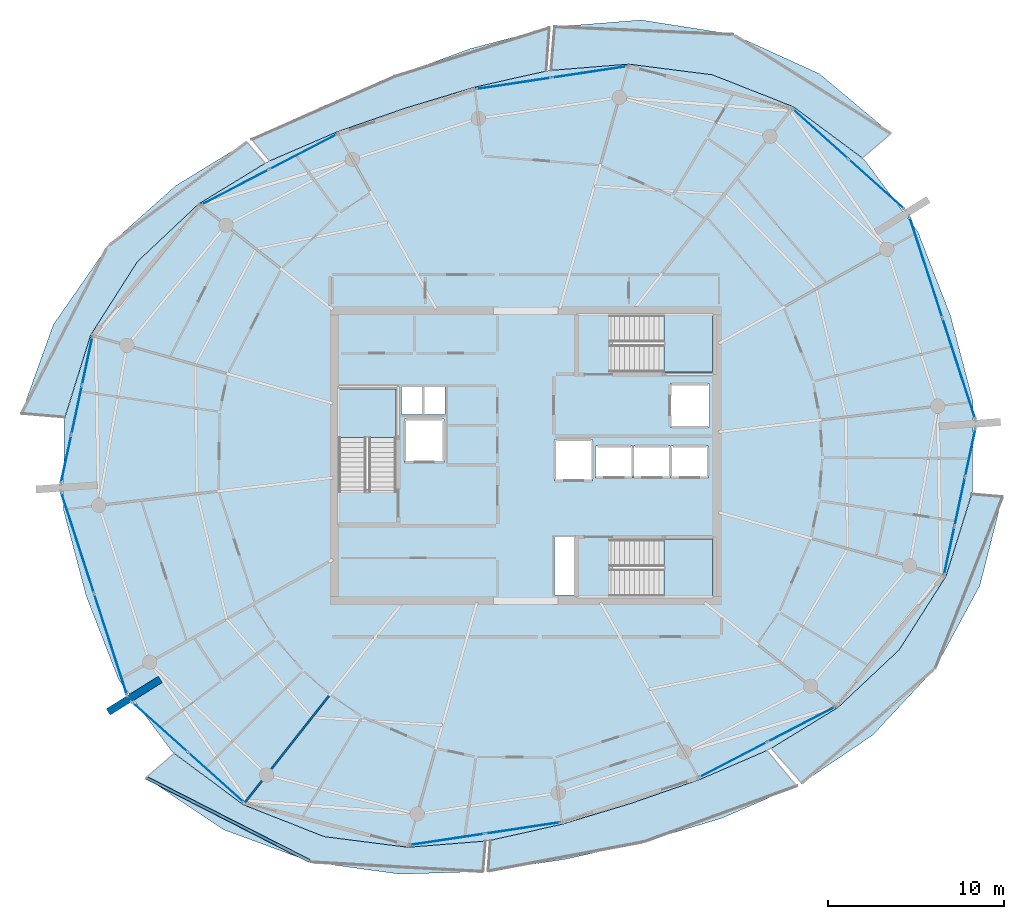
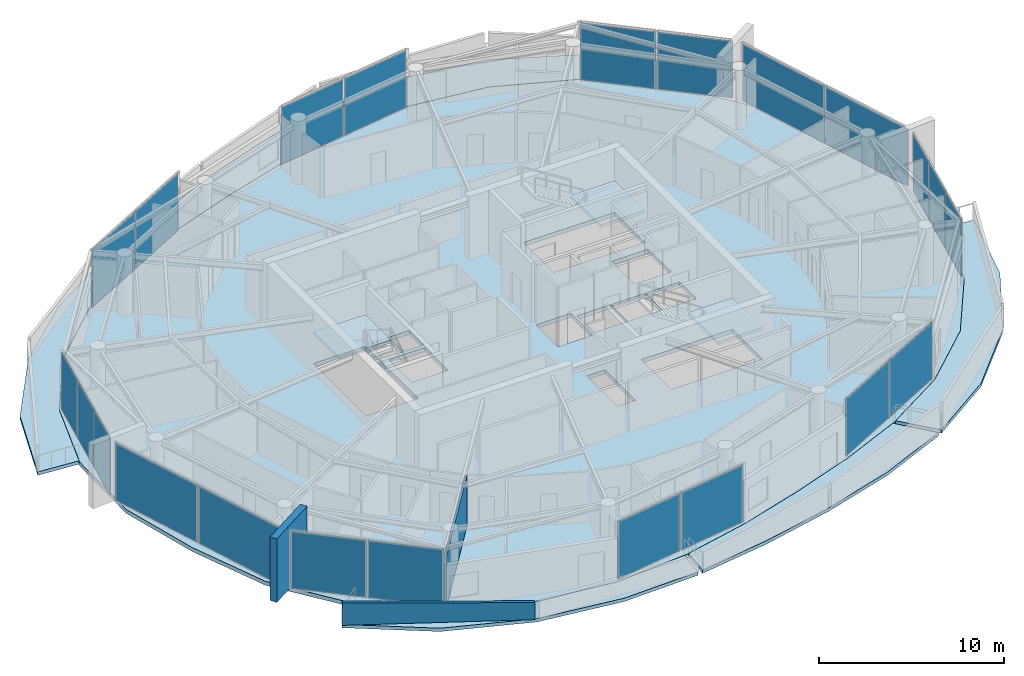
# One storey, part 9 of 20: 22 plates, 10 slabs, 3 walls, 13 elements without a shape of their own.
"""IFC4 building model written with IfcOpenShell, lengths in metres."""

from ifc_helpers import new_model, si_unit, direction, frame, frame_2d, origin, origin_2d, place, context, subcontext, project, spatial, polyline, rectangle, outline, extrude, material, layer, layer_set, type_object, element, aggregate, save


model = new_model("IFC4")

# Units and contexts
model_context = context("Model", 3, precision=1e-05, world=origin(), true_north=direction((0.0, 1.0)))
body_context = subcontext(model_context, "Body", "Model", "MODEL_VIEW")
ifc_project = project(units=[si_unit("LENGTHUNIT", "METRE"), si_unit("AREAUNIT", "SQUARE_METRE"), si_unit("VOLUMEUNIT", "CUBIC_METRE"), si_unit("PLANEANGLEUNIT", "RADIAN"), si_unit("MASSUNIT", "GRAM", prefix="KILO")], contexts=[model_context])

# Site, building, storey
site_placement = place(None, origin())
site = spatial("IfcSite", under=ifc_project, at=site_placement, CompositionType="ELEMENT")
building_placement = place(site_placement, origin())
building = spatial("IfcBuilding", under=site, at=building_placement, Name="Kazma Halo Residences", CompositionType="ELEMENT")
storey_placement = place(building_placement, frame((0.0, 0.0, 317.89990234375)))
storey = spatial("IfcBuildingStorey", under=building, at=storey_placement, Name="L80", CompositionType="ELEMENT", Elevation=317.89990234375)

# Curtain wall, plates
ifc_material_1 = material(Name="Aluminium AW-6063 T6 and Triple-Silver Low-E Glass", Category="aluminium")
ifc_layer_1 = layer(ifc_material_1, 0.239990234375)
ifc_layer_set_1 = layer_set([ifc_layer_1], Name="Aluminium AW-6063 T6 and Triple-Silver Low-E Glass")
curtain_wall_type = type_object("IfcCurtainWallType", Name="CW-SYS-6", PredefinedType="NOTDEFINED", material=ifc_layer_set_1)
curtain_wall_1_placement = place(storey_placement, origin())
curtain_wall_1 = element("IfcCurtainWall", 1, at=curtain_wall_1_placement, inside=storey, type_object=curtain_wall_type, Name="L80 unitised curtain wall B01", PredefinedType="NOTDEFINED")
ifc_material_2 = material(Name="Clear Triple-Silver Low-E Glass IGU", Category="glass")
ifc_layer_2 = layer(ifc_material_2, 0.035888671875)
ifc_layer_set_2 = layer_set([ifc_layer_2], Name="Clear Triple-Silver Low-E Glass IGU")
plate_type = type_object("IfcPlateType", Name="CW-SYS-6-PNL", PredefinedType="CURTAIN_PANEL", material=ifc_layer_set_2)
plate_1_placement = place(storey_placement, frame((68.37646484375, 57.44189453125, 0.080078125), z_axis=(0.0, 0.0, 1.0), x_axis=(-0.744378829791, 0.667757559118, 0.0)))
plate_1 = element("IfcPlate", 2, at=plate_1_placement, type_object=plate_type, Name="CWS-6 panel 1.1", PredefinedType="CURTAIN_PANEL", context=body_context, shape_type="SweptSolid", body=[
    extrude(rectangle(XDim=4.19677734375, YDim=0.035888671875, at=origin_2d()), origin(), (0.0, 0.0, 1.0), 3.780029296875),
])
plate_2_placement = place(storey_placement, frame((65.19287109375, 60.297607421875, 0.080078125), z_axis=(0.0, 0.0, 1.0), x_axis=(-0.744378829791, 0.667757559118, 0.0)))
plate_2 = element("IfcPlate", 3, at=plate_2_placement, type_object=plate_type, Name="CWS-6 panel 2.1", PredefinedType="CURTAIN_PANEL", context=body_context, shape_type="SweptSolid", body=[
    extrude(rectangle(XDim=4.19677734375, YDim=0.035888671875, at=origin_2d()), origin(), (0.0, 0.0, 1.0), 3.780029296875),
])
aggregate(curtain_wall_1, [plate_1, plate_2])

curtain_wall_2_placement = place(storey_placement, origin())
curtain_wall_2 = element("IfcCurtainWall", 4, at=curtain_wall_2_placement, inside=storey, type_object=curtain_wall_type, Name="L80 unitised curtain wall B03", PredefinedType="NOTDEFINED")
plate_3_placement = place(storey_placement, frame((52.049560546875, 63.82275390625, 0.080078125), z_axis=(0.0, 0.0, 1.0), x_axis=(-0.988856643836, -0.148870876743, 0.0)))
plate_3 = element("IfcPlate", 5, at=plate_3_placement, type_object=plate_type, Name="CWS-6 panel 1.1", PredefinedType="CURTAIN_PANEL", context=body_context, shape_type="SweptSolid", body=[
    extrude(rectangle(XDim=4.28662109375, YDim=0.035888671875, at=origin_2d()), origin(), (0.0, 0.0, 1.0), 3.780029296875),
])
plate_4_placement = place(storey_placement, frame((47.731689453125, 63.1728515625, 0.080078125), z_axis=(0.0, 0.0, 1.0), x_axis=(-0.988856643836, -0.148870876743, 0.0)))
plate_4 = element("IfcPlate", 6, at=plate_4_placement, type_object=plate_type, Name="CWS-6 panel 2.1", PredefinedType="CURTAIN_PANEL", context=body_context, shape_type="SweptSolid", body=[
    extrude(rectangle(XDim=4.28662109375, YDim=0.035888671875, at=origin_2d()), origin(), (0.0, 0.0, 1.0), 3.780029296875),
])
aggregate(curtain_wall_2, [plate_3, plate_4])

curtain_wall_3_placement = place(storey_placement, origin())
curtain_wall_3 = element("IfcCurtainWall", 7, at=curtain_wall_3_placement, inside=storey, type_object=curtain_wall_type, Name="L80 unitised curtain wall B05", PredefinedType="NOTDEFINED")
plate_5_placement = place(storey_placement, frame((35.77197265625, 59.286865234375, 0.080078125), z_axis=(0.0, 0.0, 1.0), x_axis=(-0.887506071618, -0.460796020861, 0.0)))
plate_5 = element("IfcPlate", 8, at=plate_5_placement, type_object=plate_type, Name="CWS-6 panel 1.1", PredefinedType="CURTAIN_PANEL", context=body_context, shape_type="SweptSolid", body=[
    extrude(rectangle(XDim=4.28662109375, YDim=0.035888671875, at=origin_2d()), origin(), (0.0, 0.0, 1.0), 3.780029296875),
])
plate_6_placement = place(storey_placement, frame((31.896728515625, 57.274658203125, 0.080078125), z_axis=(0.0, 0.0, 1.0), x_axis=(-0.887506071618, -0.460796020861, 0.0)))
plate_6 = element("IfcPlate", 9, at=plate_6_placement, type_object=plate_type, Name="CWS-6 panel 2.1", PredefinedType="CURTAIN_PANEL", context=body_context, shape_type="SweptSolid", body=[
    extrude(rectangle(XDim=4.28662109375, YDim=0.035888671875, at=origin_2d()), origin(), (0.0, 0.0, 1.0), 3.780029296875),
])
aggregate(curtain_wall_3, [plate_5, plate_6])

curtain_wall_4_placement = place(storey_placement, origin())
curtain_wall_4 = element("IfcCurtainWall", 10, at=curtain_wall_4_placement, inside=storey, type_object=curtain_wall_type, Name="L80 unitised curtain wall B07", PredefinedType="NOTDEFINED")
plate_7_placement = place(storey_placement, frame((23.486572265625, 47.40087890625, 0.080078125), z_axis=(0.0, 0.0, 1.0), x_axis=(-0.209722888986, -0.977760865363, 0.0)))
plate_7 = element("IfcPlate", 11, at=plate_7_placement, type_object=plate_type, Name="CWS-6 panel 1.1", PredefinedType="CURTAIN_PANEL", context=body_context, shape_type="SweptSolid", body=[
    extrude(rectangle(XDim=2.7578125, YDim=0.035888671875, at=origin_2d()), origin(), (0.0, 0.0, 1.0), 3.780029296875),
])
plate_8_placement = place(storey_placement, frame((22.88720703125, 44.6064453125, 0.080078125), z_axis=(0.0, 0.0, 1.0), x_axis=(-0.209722888986, -0.977760865363, 0.0)))
plate_8 = element("IfcPlate", 12, at=plate_8_placement, type_object=plate_type, Name="CWS-6 panel 2.1", PredefinedType="CURTAIN_PANEL", context=body_context, shape_type="SweptSolid", body=[
    extrude(rectangle(XDim=2.7978515625, YDim=0.035888671875, at=origin_2d()), origin(), (0.0, 0.0, 1.0), 3.780029296875),
])
plate_9_placement = place(storey_placement, frame((22.287841796875, 41.812255859375, 0.080078125), z_axis=(0.0, 0.0, 1.0), x_axis=(-0.209722888986, -0.977760865363, 0.0)))
plate_9 = element("IfcPlate", 13, at=plate_9_placement, type_object=plate_type, Name="CWS-6 panel 3.1", PredefinedType="CURTAIN_PANEL", context=body_context, shape_type="SweptSolid", body=[
    extrude(rectangle(XDim=2.7578125, YDim=0.035888671875, at=origin_2d()), origin(), (0.0, 0.0, 1.0), 3.780029296875),
])
aggregate(curtain_wall_4, [plate_7, plate_8, plate_9])

curtain_wall_5_placement = place(storey_placement, origin())
curtain_wall_5 = element("IfcCurtainWall", 14, at=curtain_wall_5_placement, inside=storey, type_object=curtain_wall_type, Name="L80 unitised curtain wall B08", PredefinedType="NOTDEFINED")
plate_10_placement = place(storey_placement, frame((22.939208984375, 37.0498046875, 0.080078125), z_axis=(0.0, 0.0, 1.0), x_axis=(0.309018932797, -0.951055886462, 0.0)))
plate_10 = element("IfcPlate", 15, at=plate_10_placement, type_object=plate_type, Name="CWS-6 panel 1.1", PredefinedType="CURTAIN_PANEL", context=body_context, shape_type="SweptSolid", body=[
    extrude(rectangle(XDim=5.99267578125, YDim=0.035888671875, at=origin_2d()), origin(), (0.0, 0.0, 1.0), 3.780029296875),
])
plate_11_placement = place(storey_placement, frame((24.81591796875, 31.2744140625, 0.080078125), z_axis=(0.0, 0.0, 1.0), x_axis=(0.309018932797, -0.951055886462, 0.0)))
plate_11 = element("IfcPlate", 16, at=plate_11_placement, type_object=plate_type, Name="CWS-6 panel 2.1", PredefinedType="CURTAIN_PANEL", context=body_context, shape_type="SweptSolid", body=[
    extrude(rectangle(XDim=5.99267578125, YDim=0.035888671875, at=origin_2d()), origin(), (0.0, 0.0, 1.0), 3.780029296875),
])
aggregate(curtain_wall_5, [plate_10, plate_11])

curtain_wall_6_placement = place(storey_placement, origin())
curtain_wall_6 = element("IfcCurtainWall", 17, at=curtain_wall_6_placement, inside=storey, type_object=curtain_wall_type, Name="L80 unitised curtain wall B09", PredefinedType="NOTDEFINED")
plate_12_placement = place(storey_placement, frame((27.62353515625, 26.55810546875, 0.080078125), z_axis=(0.0, 0.0, 1.0), x_axis=(0.744378829791, -0.667757559118, 0.0)))
plate_12 = element("IfcPlate", 18, at=plate_12_placement, type_object=plate_type, Name="CWS-6 panel 1.1", PredefinedType="CURTAIN_PANEL", context=body_context, shape_type="SweptSolid", body=[
    extrude(rectangle(XDim=4.19677734375, YDim=0.035888671875, at=origin_2d()), origin(), (0.0, 0.0, 1.0), 3.780029296875),
])
plate_13_placement = place(storey_placement, frame((30.80712890625, 23.702392578125, 0.080078125), z_axis=(0.0, 0.0, 1.0), x_axis=(0.744378829791, -0.667757559118, 0.0)))
plate_13 = element("IfcPlate", 19, at=plate_13_placement, type_object=plate_type, Name="CWS-6 panel 2.1", PredefinedType="CURTAIN_PANEL", context=body_context, shape_type="SweptSolid", body=[
    extrude(rectangle(XDim=4.19677734375, YDim=0.035888671875, at=origin_2d()), origin(), (0.0, 0.0, 1.0), 3.780029296875),
])
aggregate(curtain_wall_6, [plate_12, plate_13])

curtain_wall_7_placement = place(storey_placement, origin())
curtain_wall_7 = element("IfcCurtainWall", 20, at=curtain_wall_7_placement, inside=storey, type_object=curtain_wall_type, Name="L80 unitised curtain wall B11", PredefinedType="NOTDEFINED")
plate_14_placement = place(storey_placement, frame((43.950439453125, 20.17724609375, 0.080078125), z_axis=(0.0, 0.0, 1.0), x_axis=(0.988856643836, 0.148870876743, 0.0)))
plate_14 = element("IfcPlate", 21, at=plate_14_placement, type_object=plate_type, Name="CWS-6 panel 1.1", PredefinedType="CURTAIN_PANEL", context=body_context, shape_type="SweptSolid", body=[
    extrude(rectangle(XDim=4.28662109375, YDim=0.035888671875, at=origin_2d()), origin(), (0.0, 0.0, 1.0), 3.780029296875),
])
plate_15_placement = place(storey_placement, frame((48.268310546875, 20.8271484375, 0.080078125), z_axis=(0.0, 0.0, 1.0), x_axis=(0.988856643836, 0.148870876743, 0.0)))
plate_15 = element("IfcPlate", 22, at=plate_15_placement, type_object=plate_type, Name="CWS-6 panel 2.1", PredefinedType="CURTAIN_PANEL", context=body_context, shape_type="SweptSolid", body=[
    extrude(rectangle(XDim=4.28662109375, YDim=0.035888671875, at=origin_2d()), origin(), (0.0, 0.0, 1.0), 3.780029296875),
])
aggregate(curtain_wall_7, [plate_14, plate_15])

curtain_wall_8_placement = place(storey_placement, origin())
curtain_wall_8 = element("IfcCurtainWall", 23, at=curtain_wall_8_placement, inside=storey, type_object=curtain_wall_type, Name="L80 unitised curtain wall B13", PredefinedType="NOTDEFINED")
plate_16_placement = place(storey_placement, frame((60.22802734375, 24.713134765625, 0.080078125), z_axis=(0.0, 0.0, 1.0), x_axis=(0.887506071618, 0.460796020861, 0.0)))
plate_16 = element("IfcPlate", 24, at=plate_16_placement, type_object=plate_type, Name="CWS-6 panel 1.1", PredefinedType="CURTAIN_PANEL", context=body_context, shape_type="SweptSolid", body=[
    extrude(rectangle(XDim=4.28662109375, YDim=0.035888671875, at=origin_2d()), origin(), (0.0, 0.0, 1.0), 3.780029296875),
])
plate_17_placement = place(storey_placement, frame((64.103271484375, 26.725341796875, 0.080078125), z_axis=(0.0, 0.0, 1.0), x_axis=(0.887506071618, 0.460796020861, 0.0)))
plate_17 = element("IfcPlate", 25, at=plate_17_placement, type_object=plate_type, Name="CWS-6 panel 2.1", PredefinedType="CURTAIN_PANEL", context=body_context, shape_type="SweptSolid", body=[
    extrude(rectangle(XDim=4.28662109375, YDim=0.035888671875, at=origin_2d()), origin(), (0.0, 0.0, 1.0), 3.780029296875),
])
aggregate(curtain_wall_8, [plate_16, plate_17])

curtain_wall_9_placement = place(storey_placement, origin())
curtain_wall_9 = element("IfcCurtainWall", 26, at=curtain_wall_9_placement, inside=storey, type_object=curtain_wall_type, Name="L80 unitised curtain wall B15", PredefinedType="NOTDEFINED")
plate_18_placement = place(storey_placement, frame((72.513427734375, 36.59912109375, 0.080078125), z_axis=(0.0, 0.0, 1.0), x_axis=(0.209722888986, 0.977760865363, 0.0)))
plate_18 = element("IfcPlate", 27, at=plate_18_placement, type_object=plate_type, Name="CWS-6 panel 1.1", PredefinedType="CURTAIN_PANEL", context=body_context, shape_type="SweptSolid", body=[
    extrude(rectangle(XDim=2.7578125, YDim=0.035888671875, at=origin_2d()), origin(), (0.0, 0.0, 1.0), 3.780029296875),
])
plate_19_placement = place(storey_placement, frame((73.11279296875, 39.3935546875, 0.080078125), z_axis=(0.0, 0.0, 1.0), x_axis=(0.209722888986, 0.977760865363, 0.0)))
plate_19 = element("IfcPlate", 28, at=plate_19_placement, type_object=plate_type, Name="CWS-6 panel 2.1", PredefinedType="CURTAIN_PANEL", context=body_context, shape_type="SweptSolid", body=[
    extrude(rectangle(XDim=2.7978515625, YDim=0.035888671875, at=origin_2d()), origin(), (0.0, 0.0, 1.0), 3.780029296875),
])
plate_20_placement = place(storey_placement, frame((73.712158203125, 42.187744140625, 0.080078125), z_axis=(0.0, 0.0, 1.0), x_axis=(0.209722888986, 0.977760865363, 0.0)))
plate_20 = element("IfcPlate", 29, at=plate_20_placement, type_object=plate_type, Name="CWS-6 panel 3.1", PredefinedType="CURTAIN_PANEL", context=body_context, shape_type="SweptSolid", body=[
    extrude(rectangle(XDim=2.7578125, YDim=0.035888671875, at=origin_2d()), origin(), (0.0, 0.0, 1.0), 3.780029296875),
])
aggregate(curtain_wall_9, [plate_18, plate_19, plate_20])

curtain_wall_10_placement = place(storey_placement, origin())
curtain_wall_10 = element("IfcCurtainWall", 30, at=curtain_wall_10_placement, inside=storey, type_object=curtain_wall_type, Name="L80 unitised curtain wall B16", PredefinedType="NOTDEFINED")
plate_21_placement = place(storey_placement, frame((73.060791015625, 46.9501953125, 0.080078125), z_axis=(0.0, 0.0, 1.0), x_axis=(-0.309018932797, 0.951055886462, 0.0)))
plate_21 = element("IfcPlate", 31, at=plate_21_placement, type_object=plate_type, Name="CWS-6 panel 1.1", PredefinedType="CURTAIN_PANEL", context=body_context, shape_type="SweptSolid", body=[
    extrude(rectangle(XDim=5.99267578125, YDim=0.035888671875, at=origin_2d()), origin(), (0.0, 0.0, 1.0), 3.780029296875),
])
plate_22_placement = place(storey_placement, frame((71.18408203125, 52.7255859375, 0.080078125), z_axis=(0.0, 0.0, 1.0), x_axis=(-0.309018932797, 0.951055886462, 0.0)))
plate_22 = element("IfcPlate", 32, at=plate_22_placement, type_object=plate_type, Name="CWS-6 panel 2.1", PredefinedType="CURTAIN_PANEL", context=body_context, shape_type="SweptSolid", body=[
    extrude(rectangle(XDim=5.99267578125, YDim=0.035888671875, at=origin_2d()), origin(), (0.0, 0.0, 1.0), 3.780029296875),
])
aggregate(curtain_wall_10, [plate_21, plate_22])

# Slabs
ifc_material_3 = material(Name="White Concrete C50/60", Category="concrete")
ifc_layer_3 = layer(ifc_material_3, 0.219970703125)
ifc_layer_set_3 = layer_set([ifc_layer_3], Name="White Concrete C50/60")
slab_type_1 = type_object("IfcSlabType", Name="SLB-BAL-WAVE-210", PredefinedType="FLOOR", material=ifc_layer_set_3)
slab_1_placement = place(storey_placement, frame((0.0, 0.0, -0.219970703125)))
element("IfcSlab", 33, at=slab_1_placement, inside=storey, type_object=slab_type_1, Name="L80 NE cantilevered wave balcony slab", PredefinedType="FLOOR", context=body_context, shape_type="SweptSolid", body=[
    extrude(outline(polyline([(67.578369140625, 58.929443359375), (63.64697265625, 61.847900390625), (59.038818359375, 63.664794921875), (54.281005859375, 64.271240234375), (49.85986328125, 63.918701171875), (50.069580078125, 66.392578125), (54.989013671875, 66.78125), (60.20947265625, 65.962158203125), (65.12451171875, 63.722412109375), (69.187255859375, 60.320556640625), (67.578369140625, 58.929443359375)])), origin(), (0.0, 0.0, 1.0), 0.219970703125),
])
slab_2_placement = place(storey_placement, frame((0.0, 0.0, -0.219970703125)))
element("IfcSlab", 34, at=slab_2_placement, inside=storey, type_object=slab_type_1, Name="L80 NNW cantilevered wave balcony slab", PredefinedType="FLOOR", context=body_context, shape_type="SweptSolid", body=[
    extrude(outline(polyline([(49.58740234375, 63.8779296875), (45.518798828125, 62.962890625), (41.575927734375, 61.771484375), (37.685546875, 60.417724609375), (33.856201171875, 58.7666015625), (32.834716796875, 59.9775390625), (36.87158203125, 61.87109375), (40.989013671875, 63.57763671875), (45.260498046875, 65.147216796875), (49.765869140625, 66.336669921875), (49.58740234375, 63.8779296875)])), origin(), (0.0, 0.0, 1.0), 0.219970703125),
])
slab_3_placement = place(storey_placement, frame((0.0, 0.0, -0.219970703125)))
element("IfcSlab", 35, at=slab_3_placement, inside=storey, type_object=slab_type_1, Name="L80 NW cantilevered wave balcony slab", PredefinedType="FLOOR", context=body_context, shape_type="SweptSolid", body=[
    extrude(outline(polyline([(33.61181640625, 58.639404296875), (29.82763671875, 56.325927734375), (26.335205078125, 53.038818359375), (23.675048828125, 48.8603515625), (22.2099609375, 44.188232421875), (19.740478515625, 44.39794921875), (21.55810546875, 49.45751953125), (24.643310546875, 53.90087890625), (28.519775390625, 57.35693359375), (32.572998046875, 59.841064453125), (33.61181640625, 58.639404296875)])), origin(), (0.0, 0.0, 1.0), 0.219970703125),
])
slab_4_placement = place(storey_placement, frame((0.0, 0.0, -0.219970703125)))
element("IfcSlab", 36, at=slab_4_placement, inside=storey, type_object=slab_type_1, Name="L80 SW cantilevered wave balcony slab", PredefinedType="FLOOR", context=body_context, shape_type="SweptSolid", body=[
    extrude(outline(polyline([(28.421630859375, 25.070556640625), (32.35302734375, 22.152099609375), (36.961181640625, 20.335205078125), (41.718994140625, 19.728759765625), (46.14013671875, 20.081298828125), (45.99365234375, 18.353515625), (41.287841796875, 18.200439453125), (36.226806640625, 18.893798828125), (31.233154296875, 20.731201171875), (26.8271484375, 23.69189453125), (28.421630859375, 25.070556640625)])), origin(), (0.0, 0.0, 1.0), 0.219970703125),
])
slab_5_placement = place(storey_placement, frame((0.0, 0.0, -0.219970703125)))
element("IfcSlab", 37, at=slab_5_placement, inside=storey, type_object=slab_type_1, Name="L80 SSE cantilevered wave balcony slab", PredefinedType="FLOOR", context=body_context, shape_type="SweptSolid", body=[
    extrude(outline(polyline([(46.41259765625, 20.1220703125), (50.481201171875, 21.037109375), (54.424072265625, 22.228515625), (58.314453125, 23.582275390625), (62.143798828125, 25.2333984375), (63.835693359375, 23.227783203125), (59.55078125, 21.37451171875), (55.134033203125, 20.0439453125), (50.7158203125, 19.05419921875), (46.286376953125, 18.38330078125), (46.41259765625, 20.1220703125)])), origin(), (0.0, 0.0, 1.0), 0.219970703125),
])
slab_6_placement = place(storey_placement, frame((0.0, 0.0, -0.219970703125)))
element("IfcSlab", 38, at=slab_6_placement, inside=storey, type_object=slab_type_1, Name="L80 SE cantilevered wave balcony slab", PredefinedType="FLOOR", context=body_context, shape_type="SweptSolid", body=[
    extrude(outline(polyline([(62.38818359375, 25.360595703125), (66.17236328125, 27.674072265625), (69.664794921875, 30.961181640625), (72.324951171875, 35.1396484375), (73.7900390625, 39.811767578125), (75.540283203125, 39.6630859375), (74.24658203125, 34.59765625), (71.71142578125, 29.91845703125), (68.159423828125, 26.107666015625), (64.107177734375, 23.37255859375), (62.38818359375, 25.360595703125)])), origin(), (0.0, 0.0, 1.0), 0.219970703125),
])
ifc_material_4 = material(Name="Concrete C50/60", Category="concrete")
ifc_layer_4 = layer(ifc_material_4, 0.260009765625)
ifc_layer_set_4 = layer_set([ifc_layer_4], Name="Concrete C50/60")
slab_type_2 = type_object("IfcSlabType", Name="SLB-RES-260", PredefinedType="FLOOR", material=ifc_layer_set_4)
slab_7_placement = place(storey_placement, frame((0.0, 0.0, -0.260009765625)))
element("IfcSlab", 39, at=slab_7_placement, inside=storey, type_object=slab_type_2, Name="L80 structural floor slab", PredefinedType="FLOOR", context=body_context, shape_type="SweptSolid", body=[
    extrude(outline(polyline([(72.573486328125, 49.984375), (70.730224609375, 54.7294921875), (67.697265625, 58.822998046875), (63.6455078125, 61.84619140625), (59.037841796875, 63.6630859375), (54.280517578125, 64.269287109375), (49.723876953125, 63.90478515625), (45.51904296875, 62.9609375), (41.576416015625, 61.76953125), (37.6865234375, 60.416015625), (33.72998046875, 58.7080078125), (29.829345703125, 56.32470703125), (26.3369140625, 53.037841796875), (23.677001953125, 48.85986328125), (22.17626953125, 44.032470703125), (22.12841796875, 38.93798828125), (23.426513671875, 34.015625), (25.269775390625, 29.2705078125), (28.302734375, 25.177001953125), (32.3544921875, 22.15380859375), (36.962158203125, 20.3369140625), (41.719482421875, 19.730712890625), (46.276123046875, 20.09521484375), (50.48095703125, 21.0390625), (54.423583984375, 22.23046875), (58.3134765625, 23.583984375), (62.27001953125, 25.2919921875), (66.170654296875, 27.67529296875), (69.6630859375, 30.962158203125), (72.322998046875, 35.14013671875), (73.82373046875, 39.967529296875), (73.87158203125, 45.06201171875), (72.573486328125, 49.984375)]), holes=[polyline([(37.800048828125, 40.110107421875), (41.050048828125, 40.110107421875), (41.050048828125, 45.800048828125), (37.800048828125, 45.800048828125), (37.800048828125, 40.110107421875)]), polyline([(53.360107421875, 46.75), (59.050048828125, 46.75), (59.050048828125, 50.0), (53.360107421875, 50.0), (53.360107421875, 46.75)]), polyline([(53.360107421875, 34.0), (59.050048828125, 34.0), (59.050048828125, 37.25), (53.360107421875, 37.25), (53.360107421875, 34.0)]), polyline([(41.52001953125, 41.6201171875), (43.780029296875, 41.6201171875), (43.780029296875, 44.080078125), (41.52001953125, 44.080078125), (41.52001953125, 41.6201171875)]), polyline([(56.6201171875, 43.6201171875), (58.8798828125, 43.6201171875), (58.8798828125, 46.080078125), (56.6201171875, 46.080078125), (56.6201171875, 43.6201171875)]), polyline([(52.39501953125, 40.7451171875), (54.5048828125, 40.7451171875), (54.5048828125, 42.554931640625), (52.39501953125, 42.554931640625), (52.39501953125, 40.7451171875)]), polyline([(54.544921875, 40.7451171875), (56.655029296875, 40.7451171875), (56.655029296875, 42.554931640625), (54.544921875, 42.554931640625), (54.544921875, 40.7451171875)]), polyline([(56.695068359375, 40.7451171875), (58.804931640625, 40.7451171875), (58.804931640625, 42.554931640625), (56.695068359375, 42.554931640625), (56.695068359375, 40.7451171875)]), polyline([(50.070068359375, 40.570068359375), (52.22998046875, 40.570068359375), (52.22998046875, 42.929931640625), (50.070068359375, 42.929931640625), (50.070068359375, 40.570068359375)]), polyline([(41.360107421875, 44.340087890625), (42.5400390625, 44.340087890625), (42.5400390625, 45.89990234375), (41.360107421875, 45.89990234375), (41.360107421875, 44.340087890625)]), polyline([(42.659912109375, 44.340087890625), (43.840087890625, 44.340087890625), (43.840087890625, 45.89990234375), (42.659912109375, 45.89990234375), (42.659912109375, 44.340087890625)]), polyline([(50.06005859375, 34.080078125), (51.159912109375, 34.080078125), (51.159912109375, 37.3798828125), (50.06005859375, 37.3798828125), (50.06005859375, 34.080078125)])]), origin(), (0.0, 0.0, 1.0), 0.260009765625),
])

# Stair, slab
stair_type = type_object("IfcStairType", Name="STR-RES2", PredefinedType="HALF_TURN_STAIR", material=ifc_material_4)
stair_1_placement = place(storey_placement, origin())
stair_1 = element("IfcStair", 40, at=stair_1_placement, inside=storey, type_object=stair_type, Name="L80 Core exit stair ST-01", PredefinedType="HALF_TURN_STAIR")
ifc_layer_5 = layer(ifc_material_4, 0.199951171875)
ifc_layer_set_5 = layer_set([ifc_layer_5], Name="Concrete C50/60")
slab_type_3 = type_object("IfcSlabType", Name="SLB-STAIR-LND-200", PredefinedType="LANDING", material=ifc_layer_set_5)
slab_8_placement = place(storey_placement, frame((0.0, 0.0, 1.900146484375)))
slab_8 = element("IfcSlab", 41, at=slab_8_placement, type_object=slab_type_3, Name="ST-01 landing 1", PredefinedType="LANDING", context=body_context, shape_type="SweptSolid", body=[
    extrude(outline(polyline([(41.050048828125, 43.030029296875), (41.050048828125, 45.800048828125), (37.800048828125, 45.800048828125), (37.800048828125, 43.030029296875), (41.050048828125, 43.030029296875)])), origin(), (0.0, 0.0, 1.0), 0.199951171875),
])
aggregate(stair_1, [slab_8])

stair_2_placement = place(storey_placement, origin())
stair_2 = element("IfcStair", 42, at=stair_2_placement, inside=storey, type_object=stair_type, Name="L80 Core exit stair ST-02", PredefinedType="HALF_TURN_STAIR")
slab_9_placement = place(storey_placement, frame((0.0, 0.0, 1.900146484375)))
slab_9 = element("IfcSlab", 43, at=slab_9_placement, type_object=slab_type_3, Name="ST-02 landing 1", PredefinedType="LANDING", context=body_context, shape_type="SweptSolid", body=[
    extrude(outline(polyline([(56.280029296875, 46.75), (59.050048828125, 46.75), (59.050048828125, 50.0), (56.280029296875, 50.0), (56.280029296875, 46.75)])), origin(), (0.0, 0.0, 1.0), 0.199951171875),
])
aggregate(stair_2, [slab_9])

stair_3_placement = place(storey_placement, origin())
stair_3 = element("IfcStair", 44, at=stair_3_placement, inside=storey, type_object=stair_type, Name="L80 Core exit stair ST-03", PredefinedType="HALF_TURN_STAIR")
slab_10_placement = place(storey_placement, frame((0.0, 0.0, 1.900146484375)))
slab_10 = element("IfcSlab", 45, at=slab_10_placement, type_object=slab_type_3, Name="ST-03 landing 1", PredefinedType="LANDING", context=body_context, shape_type="SweptSolid", body=[
    extrude(outline(polyline([(56.280029296875, 34.0), (59.050048828125, 34.0), (59.050048828125, 37.25), (56.280029296875, 37.25), (56.280029296875, 34.0)])), origin(), (0.0, 0.0, 1.0), 0.199951171875),
])
aggregate(stair_3, [slab_10])

# Walls
ifc_material_5 = material(Name="White Concrete C50/60 Balustrade", Category="concrete")
ifc_layer_6 = layer(ifc_material_5, 0.179931640625)
ifc_layer_set_6 = layer_set([ifc_layer_6], Name="White Concrete C50/60 Balustrade")
wall_type_1 = type_object("IfcWallType", Name="WL-BAL-WAVE-180", PredefinedType="PARAPET", material=ifc_layer_set_6)
wall_1_placement = place(storey_placement, frame((26.8271484375, 23.69189453125, 0.0), z_axis=(0.0, 0.0, 1.0), x_axis=(0.890680467367, -0.454629854993, 0.0)))
element("IfcWall", 46, at=wall_1_placement, inside=storey, type_object=wall_type_1, Name="L80 white wave balustrade wall SW.1", PredefinedType="PARAPET", context=body_context, shape_type="SweptSolid", body=[
    extrude(outline(polyline([(0.0, 0.0), (10.43359375, 0.0), (10.433349609375, 1.148193359375), (5.216796875, 1.2841796875), (0.0, 1.483154296875), (0.0, 0.0)])), frame((0.0, 0.08984375, 0.0), z_axis=(0.0, -1.0, 0.0), x_axis=(1.0, 0.0, 0.0)), (0.0, 0.0, 1.0), 0.179931640625),
])
ifc_material_6 = material(Name="Pale Concrete C60/75", Category="concrete")
ifc_layer_7 = layer(ifc_material_6, 0.419921875)
ifc_layer_set_7 = layer_set([ifc_layer_7], Name="Pale Concrete C60/75")
wall_type_2 = type_object("IfcWallType", Name="WL-BLADE-420", PredefinedType="SOLIDWALL", material=ifc_layer_set_7)
wall_2_placement = place(storey_placement, frame((27.6474609375, 29.2822265625, 0.0), z_axis=(0.0, 0.0, 1.0), x_axis=(-0.848053161125, -0.529911158502, 0.0)))
element("IfcWall", 47, at=wall_2_placement, inside=storey, type_object=wall_type_2, Name="L80 pale concrete structural blade fin wall BW-03", PredefinedType="SOLIDWALL", context=body_context, shape_type="SweptSolid", body=[
    extrude(rectangle(XDim=3.5, YDim=0.419921875, at=frame_2d((1.75, 0.0))), origin(), (0.0, 0.0, 1.0), 4.2001953125),
])
ifc_material_7 = material(Name="Gypsum Plasterboard Partition")
ifc_layer_8 = layer(ifc_material_7, 0.125)
ifc_layer_set_8 = layer_set([ifc_layer_8], Name="Gypsum Plasterboard Partition")
wall_type_3 = type_object("IfcWallType", Name="WL-PART-125", PredefinedType="PARTITIONING", material=ifc_layer_set_8)
wall_3_placement = place(storey_placement, frame((37.230224609375, 28.338623046875, 0.0), z_axis=(0.0, 0.0, 1.0), x_axis=(-0.619087123863, -0.785322311581, 0.0)))
element("IfcWall", 48, at=wall_3_placement, inside=storey, type_object=wall_type_3, Name="L80 Penthouse 2 radial partition 9", PredefinedType="PARTITIONING", context=body_context, shape_type="SweptSolid", body=[
    extrude(rectangle(XDim=7.73095703125, YDim=0.125, at=frame_2d((3.865478515625, 0.0))), origin(), (0.0, 0.0, 1.0), 3.380126953125),
])

save(model, "model.ifc")
